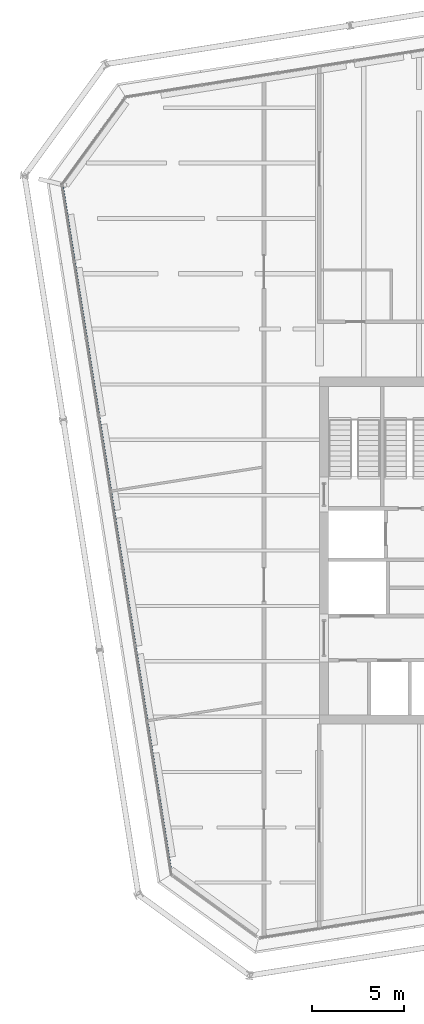
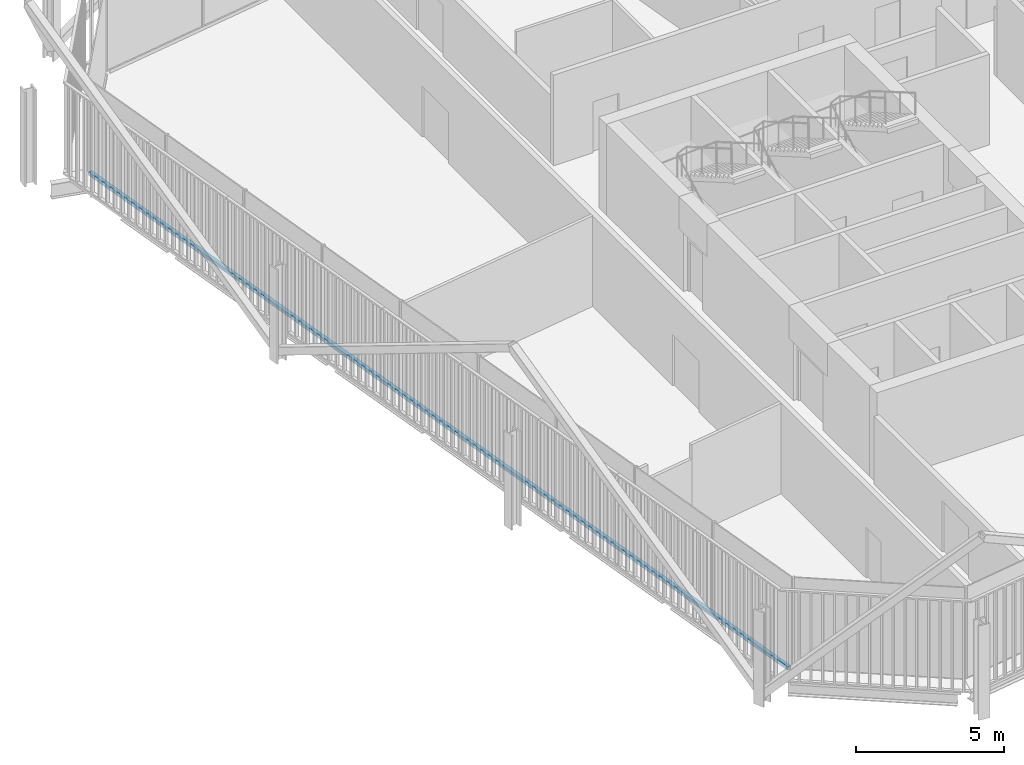
# One storey, part 6 of 20: 1 member, 1 element without a shape of its own.
"""IFC4 building model written with IfcOpenShell, lengths in metres."""

from ifc_helpers import new_model, si_unit, direction, frame, origin, origin_2d, place, context, subcontext, project, spatial, rectangle, extrude, material, layer, layer_set, material_profile, profile_set, type_object, element, aggregate, save


model = new_model("IFC4")

# Units and contexts
model_context = context("Model", 3, precision=1e-05, world=origin(), true_north=direction((0.0, 1.0)))
body_context = subcontext(model_context, "Body", "Model", "MODEL_VIEW")
ifc_project = project(units=[si_unit("LENGTHUNIT", "METRE"), si_unit("AREAUNIT", "SQUARE_METRE"), si_unit("VOLUMEUNIT", "CUBIC_METRE"), si_unit("PLANEANGLEUNIT", "RADIAN"), si_unit("MASSUNIT", "GRAM", prefix="KILO")], contexts=[model_context])

# Site, building, storey
site_placement = place(None, origin())
site = spatial("IfcSite", under=ifc_project, at=site_placement, CompositionType="ELEMENT")
building_placement = place(site_placement, origin())
building = spatial("IfcBuilding", under=site, at=building_placement, Name="Millrace Tower", CompositionType="ELEMENT")
storey_placement = place(building_placement, frame((0.0, 0.0, 204.699951171875)))
storey = spatial("IfcBuildingStorey", under=building, at=storey_placement, Name="L46", CompositionType="ELEMENT", Elevation=204.699951171875)

# Curtain wall, member
ifc_material_1 = material(Name="Aluminium and glass", Category="aluminium")
ifc_layer = layer(ifc_material_1, 0.14990234375)
ifc_layer_set = layer_set([ifc_layer], Name="Aluminium and glass")
curtain_wall_type = type_object("IfcCurtainWallType", Name="CW-1 office vision curtain wall", PredefinedType="NOTDEFINED", material=ifc_layer_set)
curtain_wall_placement = place(storey_placement, origin())
curtain_wall = element("IfcCurtainWall", 1, at=curtain_wall_placement, inside=storey, type_object=curtain_wall_type, Name="Curtain wall D-F08 L46", PredefinedType="NOTDEFINED")
ifc_material_2 = material(Name="Aluminium", Category="aluminium")
ifc_material_profile = material_profile(ifc_material_2, rectangle(XDim=0.14990234375, YDim=0.139892578125, at=origin_2d()))
ifc_profile_set = profile_set([ifc_material_profile], Name="Aluminium")
member_type = type_object("IfcMemberType", Name="CW-1 office vision curtain wall transom", PredefinedType="USERDEFINED", material=ifc_profile_set)
member_placement = place(storey_placement, frame((-28.331787109375, 19.708740234375, 0.070068359375), z_axis=(0.156432359726, -0.987688674042, 0.0), x_axis=(0.987688674042, 0.156432359726, 0.0)))
member = element("IfcMember", 2, at=member_placement, type_object=member_type, Name="CW1 transom D-F08.1", ObjectType="TRANSOM", PredefinedType="USERDEFINED", context=body_context, shape_type="SweptSolid", body=[
    extrude(rectangle(XDim=0.14990234375, YDim=0.139892578125, at=origin_2d()), origin(), (0.0, 0.0, 1.0), 37.599853515625),
])
aggregate(curtain_wall, [member])

save(model, "model.ifc")
